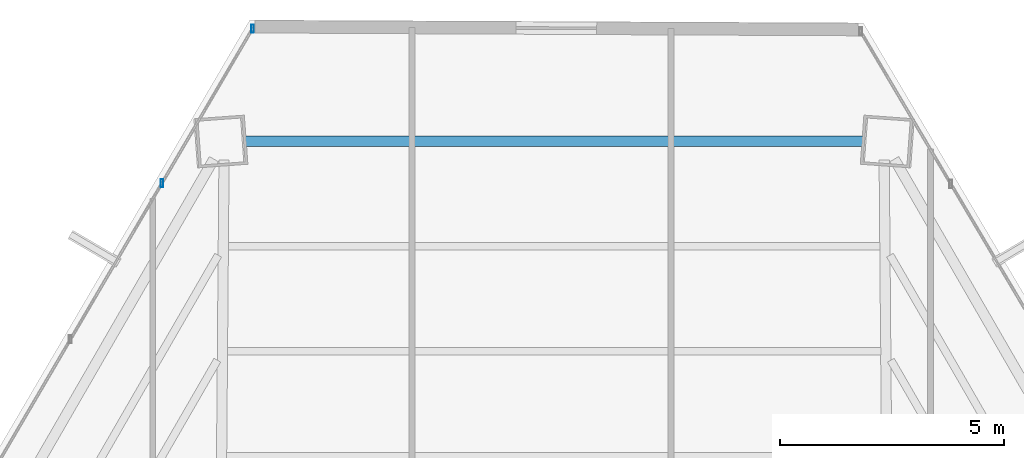
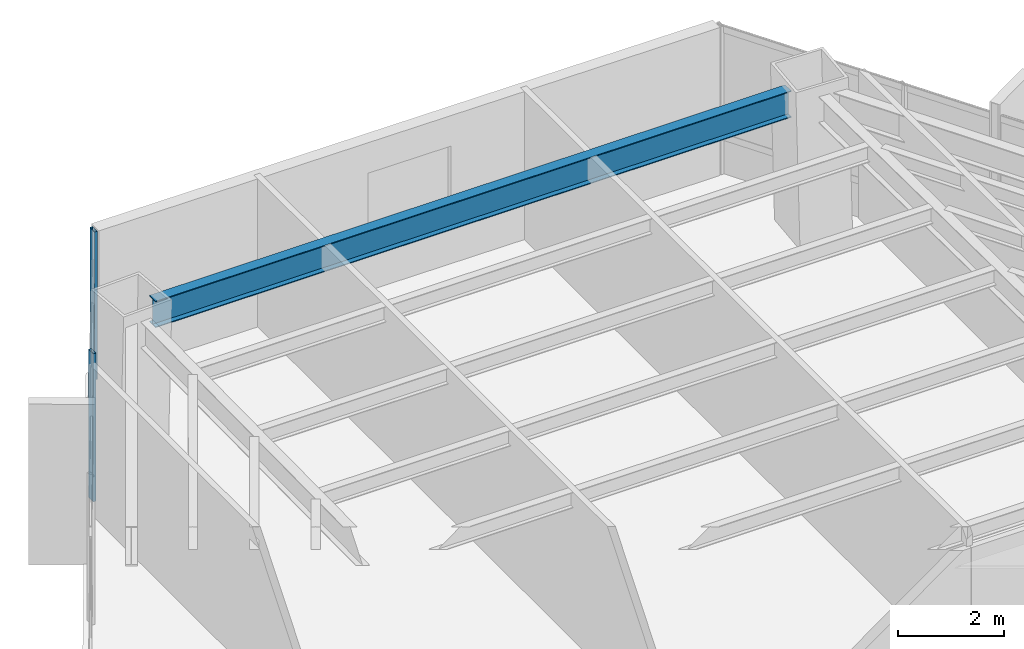
# One storey, part 26 of 37: 2 members, 1 beam, 1 element without a shape of its own.
"""IFC4 building model written with IfcOpenShell, lengths in metres."""

from ifc_helpers import new_model, si_unit, direction, frame, origin, origin_2d, place, context, subcontext, project, spatial, hollow_rectangle, i_section, extrude, source, transform, mapped, material, material_profile, profile_set, type_object, type_shapes, element, aggregate, save


model = new_model("IFC4")

# Units and contexts
model_context = context("Model", 3, precision=1e-05, world=origin(), true_north=direction((0.0, 1.0)))
body_context = subcontext(model_context, "Body", "Model", "MODEL_VIEW")
ifc_project = project(units=[si_unit("LENGTHUNIT", "METRE"), si_unit("AREAUNIT", "SQUARE_METRE"), si_unit("VOLUMEUNIT", "CUBIC_METRE"), si_unit("PLANEANGLEUNIT", "RADIAN"), si_unit("MASSUNIT", "GRAM", prefix="KILO")], contexts=[model_context])

# Site, building, storey
site_placement = place(None, origin())
site = spatial("IfcSite", under=ifc_project, at=site_placement, CompositionType="ELEMENT")
building_placement = place(site_placement, origin())
building = spatial("IfcBuilding", under=site, at=building_placement, Name="Caelisora Broadcast Tower", CompositionType="ELEMENT")
storey_placement = place(building_placement, frame((0.0, 0.0, 105.39990234375)))
storey = spatial("IfcBuildingStorey", under=building, at=storey_placement, Name="L27", CompositionType="ELEMENT", Elevation=105.39990234375)

# Beam
ifc_material_1 = material(Name="Steel Grade 350 (AS/NZS 3679.1)", Category="steel")
ifc_material_profile_1 = material_profile(ifc_material_1, i_section(OverallWidth=0.22900390625, OverallDepth=0.611572265625, WebThickness=0.011962890625, FlangeThickness=0.01953125, at=origin_2d()), Name="Steel Grade 350 (AS/NZS 3679.1)")
ifc_profile_set_1 = profile_set([ifc_material_profile_1], Name="Steel Grade 350 (AS/NZS 3679.1)")
beam_type = type_object("IfcBeamType", Name="PG03", PredefinedType="BEAM", material=ifc_profile_set_1)
shared_shape_1 = source(origin(), body_context, "Body", "SweptSolid", [
    extrude(i_section(OverallWidth=0.22900390625, OverallDepth=0.611572265625, WebThickness=0.011962890625, FlangeThickness=0.01953125, at=origin_2d()), origin(), (0.0, 0.0, 1.0), 13.81201171875),
])
type_shapes(beam_type, [shared_shape_1])
beam_placement = place(storey_placement, frame((44.906005859375, 46.415283203125, 3.09423828125), z_axis=(-1.0, 0.0, 0.0), x_axis=(0.0, -1.0, 0.0)))
element("IfcBeam", 1, at=beam_placement, inside=storey, type_object=beam_type, Name="L27 beam PG03", PredefinedType="BEAM", context=body_context, shape_type="MappedRepresentation", body=[
    mapped(shared_shape_1, transform((0.0, 0.0, 0.0), scale=1.0)),
])

# Curtain wall, members
ifc_material_2 = material(Name="Unitised Aluminium and Low-E Glass Curtain Wall", Category="glass")
curtain_wall_type = type_object("IfcCurtainWallType", Name="CW-Z2", PredefinedType="NOTDEFINED", material=ifc_material_2)
curtain_wall_placement = place(storey_placement, origin())
curtain_wall = element("IfcCurtainWall", 2, at=curtain_wall_placement, inside=storey, type_object=curtain_wall_type, Name="L27 curtain wall CW-Z2", PredefinedType="NOTDEFINED")
ifc_material_3 = material(Name="Aluminium 6063-T6 Anodised Terracotta Bronze", Category="aluminium")
ifc_material_profile_2 = material_profile(ifc_material_3, hollow_rectangle(XDim=0.06494140625, YDim=0.179931640625, WallThickness=0.00341796875, at=origin_2d()), Name="Aluminium 6063-T6 Anodised Terracotta Bronze")
ifc_profile_set_2 = profile_set([ifc_material_profile_2], Name="Aluminium 6063-T6 Anodised Terracotta Bronze")
member_type = type_object("IfcMemberType", Name="CWM-02", PredefinedType="MULLION", material=ifc_profile_set_2)
shared_shape_2 = source(origin(), body_context, "Body", "SweptSolid", [
    extrude(hollow_rectangle(XDim=0.06494140625, YDim=0.179931640625, WallThickness=0.00341796875, at=origin_2d()), origin(), (0.0, 0.0, 1.0), 3.400146484375),
])
type_shapes(member_type, [shared_shape_2])
member_1_placement = place(storey_placement, frame((29.246826171875, 45.482177734375, 0.0), z_axis=(0.0, 0.0, 1.0), x_axis=(1.0, 0.0, 0.0)))
member_1 = element("IfcMember", 3, at=member_1_placement, type_object=member_type, Name="L27-CW-B11 mullion #2", PredefinedType="MULLION", context=body_context, shape_type="MappedRepresentation", body=[
    mapped(shared_shape_2, transform((0.0, 0.0, 0.0), scale=1.0)),
])
member_2_placement = place(storey_placement, frame((31.2666015625, 48.929931640625, 0.0), z_axis=(0.0, 0.0, 1.0), x_axis=(1.0, 0.0, 0.0)))
member_2 = element("IfcMember", 4, at=member_2_placement, type_object=member_type, Name="L27-CW-B11 mullion #3", PredefinedType="MULLION", context=body_context, shape_type="MappedRepresentation", body=[
    mapped(shared_shape_2, transform((0.0, 0.0, 0.0), scale=1.0)),
])
aggregate(curtain_wall, [member_1, member_2])

save(model, "model.ifc")
